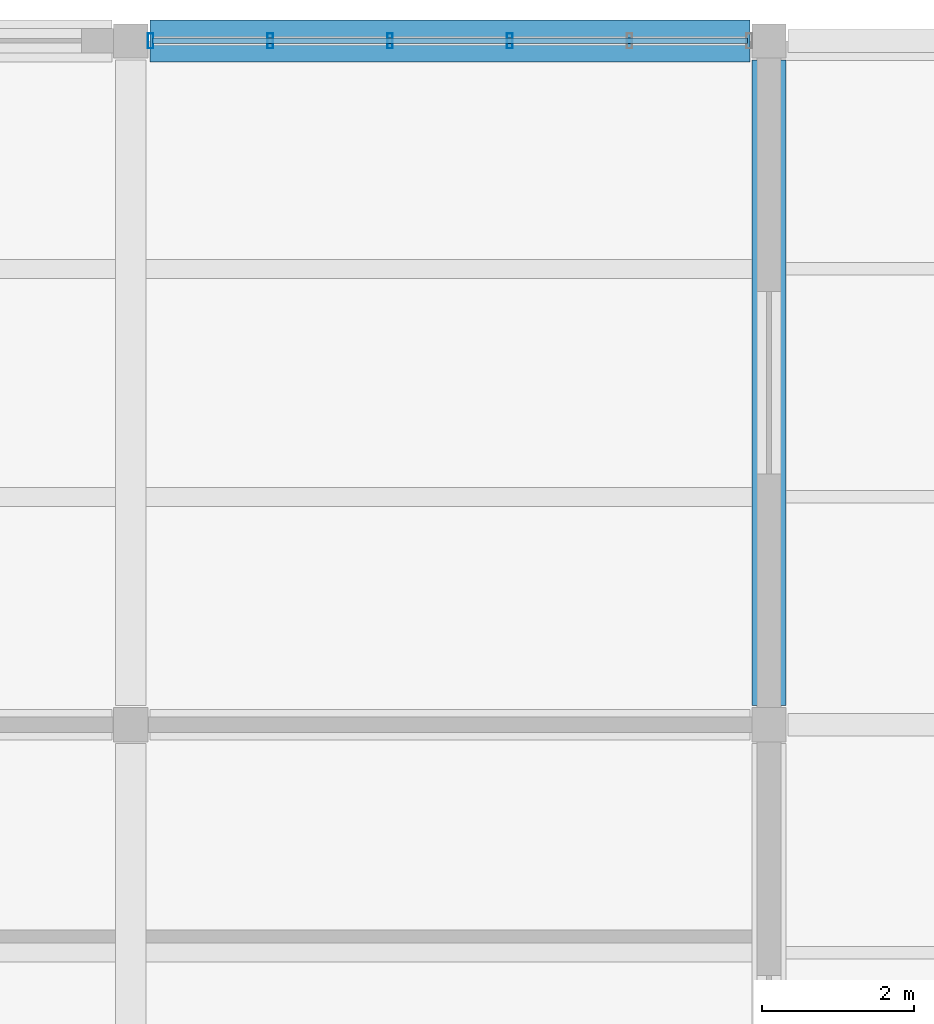
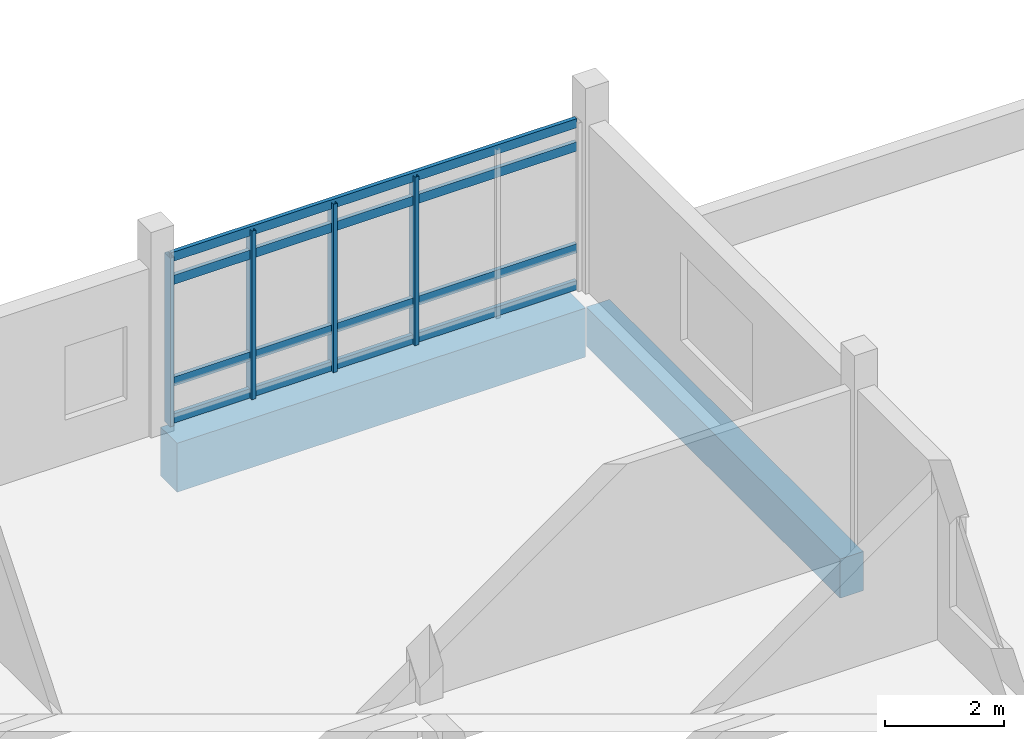
# One storey, part 41 of 62: 8 members, 2 beams, 1 element without a shape of its own.
"""IFC4 building model written with IfcOpenShell, lengths in metres."""

from ifc_helpers import new_model, si_unit, direction, frame, origin, origin_2d, place, context, subcontext, project, spatial, rectangle, hollow_rectangle, extrude, material, layer, layer_set, material_profile, profile_set, type_object, element, aggregate, save


model = new_model("IFC4")

# Units and contexts
model_context = context("Model", 3, precision=1e-05, world=origin(), true_north=direction((0.0, 1.0)))
body_context = subcontext(model_context, "Body", "Model", "MODEL_VIEW")
ifc_project = project(units=[si_unit("LENGTHUNIT", "METRE"), si_unit("AREAUNIT", "SQUARE_METRE"), si_unit("VOLUMEUNIT", "CUBIC_METRE"), si_unit("PLANEANGLEUNIT", "RADIAN"), si_unit("MASSUNIT", "GRAM", prefix="KILO")], contexts=[model_context])

# Site, building, storey
site_placement = place(None, origin())
site = spatial("IfcSite", under=ifc_project, at=site_placement, CompositionType="ELEMENT")
building_placement = place(site_placement, origin())
building = spatial("IfcBuilding", under=site, at=building_placement, Name="Vireocrest Preparatory School", CompositionType="ELEMENT")
storey_placement = place(building_placement, frame((0.0, 0.0, 17.39990234375)))
storey = spatial("IfcBuildingStorey", under=building, at=storey_placement, Name="L04", CompositionType="ELEMENT", Elevation=17.39990234375)

# Curtain wall, members
ifc_material_1 = material(Name="Thermally broken aluminium EN AW-6063-T6", Category="aluminium")
ifc_layer = layer(ifc_material_1, 0.179931640625)
ifc_layer_set = layer_set([ifc_layer], Name="Thermally broken aluminium EN AW-6063-T6")
curtain_wall_type = type_object("IfcCurtainWallType", Name="North Street Curtain Wall 8400x4000", PredefinedType="USERDEFINED", material=ifc_layer_set)
curtain_wall_placement = place(storey_placement, origin())
curtain_wall = element("IfcCurtainWall", 1, at=curtain_wall_placement, inside=storey, type_object=curtain_wall_type, Name="Curtain Wall CW05 CW_L04_CW05_0758_1128_174", ObjectType="CURTAIN WALL", PredefinedType="USERDEFINED")
ifc_material_profile_1 = material_profile(ifc_material_1, hollow_rectangle(XDim=0.074951171875, YDim=0.199951171875, WallThickness=0.0048828125, at=origin_2d()), Name="ALU 75x200x5")
ifc_profile_set_1 = profile_set([ifc_material_profile_1], Name="Thermally broken aluminium EN AW-6063-T6")
member_type_1 = type_object("IfcMemberType", Name="CW Mullion 75x200x5", PredefinedType="MULLION", material=ifc_profile_set_1)
member_1_placement = place(storey_placement, frame((75.860107421875, 112.800048828125, 0.0), z_axis=(0.0, 0.0, 1.0), x_axis=(1.0, 0.0, 0.0)))
member_1 = element("IfcMember", 2, at=member_1_placement, type_object=member_type_1, Name="CW Mullion ML3 CW_L04_CW05_0758_1128_174-1", PredefinedType="MULLION", context=body_context, shape_type="SweptSolid", body=[
    extrude(hollow_rectangle(XDim=0.074951171875, YDim=0.199951171875, WallThickness=0.0048828125, at=origin_2d()), origin(), (0.0, 0.0, 1.0), 3.445068359375),
])
member_2_placement = place(storey_placement, frame((77.43603515625, 112.800048828125, 0.0), z_axis=(0.0, 0.0, 1.0), x_axis=(1.0, 0.0, 0.0)))
member_2 = element("IfcMember", 3, at=member_2_placement, type_object=member_type_1, Name="CW Mullion ML3 CW_L04_CW05_0758_1128_174-2", PredefinedType="MULLION", context=body_context, shape_type="SweptSolid", body=[
    extrude(hollow_rectangle(XDim=0.074951171875, YDim=0.199951171875, WallThickness=0.0048828125, at=origin_2d()), origin(), (0.0, 0.0, 1.0), 3.445068359375),
])
member_3_placement = place(storey_placement, frame((79.011962890625, 112.800048828125, 0.0), z_axis=(0.0, 0.0, 1.0), x_axis=(1.0, 0.0, 0.0)))
member_3 = element("IfcMember", 4, at=member_3_placement, type_object=member_type_1, Name="CW Mullion ML3 CW_L04_CW05_0758_1128_174-3", PredefinedType="MULLION", context=body_context, shape_type="SweptSolid", body=[
    extrude(hollow_rectangle(XDim=0.074951171875, YDim=0.199951171875, WallThickness=0.0048828125, at=origin_2d()), origin(), (0.0, 0.0, 1.0), 3.445068359375),
])
member_4_placement = place(storey_placement, frame((80.587890625, 112.800048828125, 0.0), z_axis=(0.0, 0.0, 1.0), x_axis=(1.0, 0.0, 0.0)))
member_4 = element("IfcMember", 5, at=member_4_placement, type_object=member_type_1, Name="CW Mullion ML3 CW_L04_CW05_0758_1128_174-4", PredefinedType="MULLION", context=body_context, shape_type="SweptSolid", body=[
    extrude(hollow_rectangle(XDim=0.074951171875, YDim=0.199951171875, WallThickness=0.0048828125, at=origin_2d()), origin(), (0.0, 0.0, 1.0), 3.445068359375),
])
ifc_material_profile_2 = material_profile(ifc_material_1, hollow_rectangle(XDim=0.074951171875, YDim=0.18994140625, WallThickness=0.00390625, at=origin_2d()), Name="ALU 75x190x4")
ifc_profile_set_2 = profile_set([ifc_material_profile_2], Name="Thermally broken aluminium EN AW-6063-T6")
member_type_2 = type_object("IfcMemberType", Name="CW Transom 75x190x4", PredefinedType="USERDEFINED", material=ifc_profile_set_2)
member_5_placement = place(storey_placement, frame((75.885009765625, 112.800048828125, 0.09521484375), z_axis=(1.0, 0.0, 0.0), x_axis=(0.0, 1.0, 0.0)))
member_5 = element("IfcMember", 6, at=member_5_placement, type_object=member_type_2, Name="CW Transom TR3 CW_L04_CW05_0758_1128_174-1", ObjectType="TRANSOM", PredefinedType="USERDEFINED", context=body_context, shape_type="SweptSolid", body=[
    extrude(hollow_rectangle(XDim=0.074951171875, YDim=0.18994140625, WallThickness=0.00390625, at=origin_2d()), origin(), (0.0, 0.0, 1.0), 7.830078125),
])
member_6_placement = place(storey_placement, frame((75.885009765625, 112.800048828125, 0.85009765625), z_axis=(1.0, 0.0, 0.0), x_axis=(0.0, 1.0, 0.0)))
member_6 = element("IfcMember", 7, at=member_6_placement, type_object=member_type_2, Name="CW Transom TR3 CW_L04_CW05_0758_1128_174-2", ObjectType="TRANSOM", PredefinedType="USERDEFINED", context=body_context, shape_type="SweptSolid", body=[
    extrude(hollow_rectangle(XDim=0.074951171875, YDim=0.18994140625, WallThickness=0.00390625, at=origin_2d()), origin(), (0.0, 0.0, 1.0), 7.830078125),
])
member_7_placement = place(storey_placement, frame((75.885009765625, 112.800048828125, 2.93017578125), z_axis=(1.0, 0.0, 0.0), x_axis=(0.0, 1.0, 0.0)))
member_7 = element("IfcMember", 8, at=member_7_placement, type_object=member_type_2, Name="CW Transom TR3 CW_L04_CW05_0758_1128_174-3", ObjectType="TRANSOM", PredefinedType="USERDEFINED", context=body_context, shape_type="SweptSolid", body=[
    extrude(hollow_rectangle(XDim=0.074951171875, YDim=0.18994140625, WallThickness=0.00390625, at=origin_2d()), origin(), (0.0, 0.0, 1.0), 7.830078125),
])
member_8_placement = place(storey_placement, frame((75.885009765625, 112.800048828125, 3.405029296875), z_axis=(1.0, 0.0, 0.0), x_axis=(0.0, 1.0, 0.0)))
member_8 = element("IfcMember", 9, at=member_8_placement, type_object=member_type_2, Name="CW Transom TR3 CW_L04_CW05_0758_1128_174-4", ObjectType="TRANSOM", PredefinedType="USERDEFINED", context=body_context, shape_type="SweptSolid", body=[
    extrude(hollow_rectangle(XDim=0.074951171875, YDim=0.18994140625, WallThickness=0.00390625, at=origin_2d()), origin(), (0.0, 0.0, 1.0), 7.830078125),
])
aggregate(curtain_wall, [member_1, member_2, member_3, member_4, member_5, member_6, member_7, member_8])

# Beams
ifc_material_2 = material(Name="Concrete 40 MPa", Category="concrete")
ifc_material_profile_3 = material_profile(ifc_material_2, rectangle(XDim=0.550048828125, YDim=1.0, at=origin_2d()), Name="RC 550x1000")
ifc_profile_set_3 = profile_set([ifc_material_profile_3], Name="Concrete 40 MPa")
beam_type_1 = type_object("IfcBeamType", Name="RC Core Coupling Beam 550x1000", PredefinedType="BEAM", material=ifc_profile_set_3)
beam_1_placement = place(storey_placement, frame((75.85009765625, 112.800048828125, -0.739990234375), z_axis=(1.0, 0.0, 0.0), x_axis=(0.0, 1.0, 0.0)))
element("IfcBeam", 10, at=beam_1_placement, inside=storey, type_object=beam_type_1, Name="Primary Girder B18 L04-1348", PredefinedType="BEAM", context=body_context, shape_type="SweptSolid", body=[
    extrude(rectangle(XDim=0.550048828125, YDim=1.0, at=origin_2d()), origin(), (0.0, 0.0, 1.0), 7.89990234375),
])
ifc_material_profile_4 = material_profile(ifc_material_2, rectangle(XDim=0.449951171875, YDim=0.800048828125, at=origin_2d()), Name="RC 450x800")
ifc_profile_set_4 = profile_set([ifc_material_profile_4], Name="Concrete 40 MPa")
beam_type_2 = type_object("IfcBeamType", Name="RC Library Stack Girder 450x800", PredefinedType="BEAM", material=ifc_profile_set_4)
beam_2_placement = place(storey_placement, frame((84.0, 104.050048828125, -0.639892578125), z_axis=(0.0, 1.0, 0.0), x_axis=(-1.0, 0.0, 0.0)))
element("IfcBeam", 11, at=beam_2_placement, inside=storey, type_object=beam_type_2, Name="Primary Girder B12 L04-1391", PredefinedType="BEAM", context=body_context, shape_type="SweptSolid", body=[
    extrude(rectangle(XDim=0.449951171875, YDim=0.800048828125, at=origin_2d()), origin(), (0.0, 0.0, 1.0), 8.5),
])

save(model, "model.ifc")
